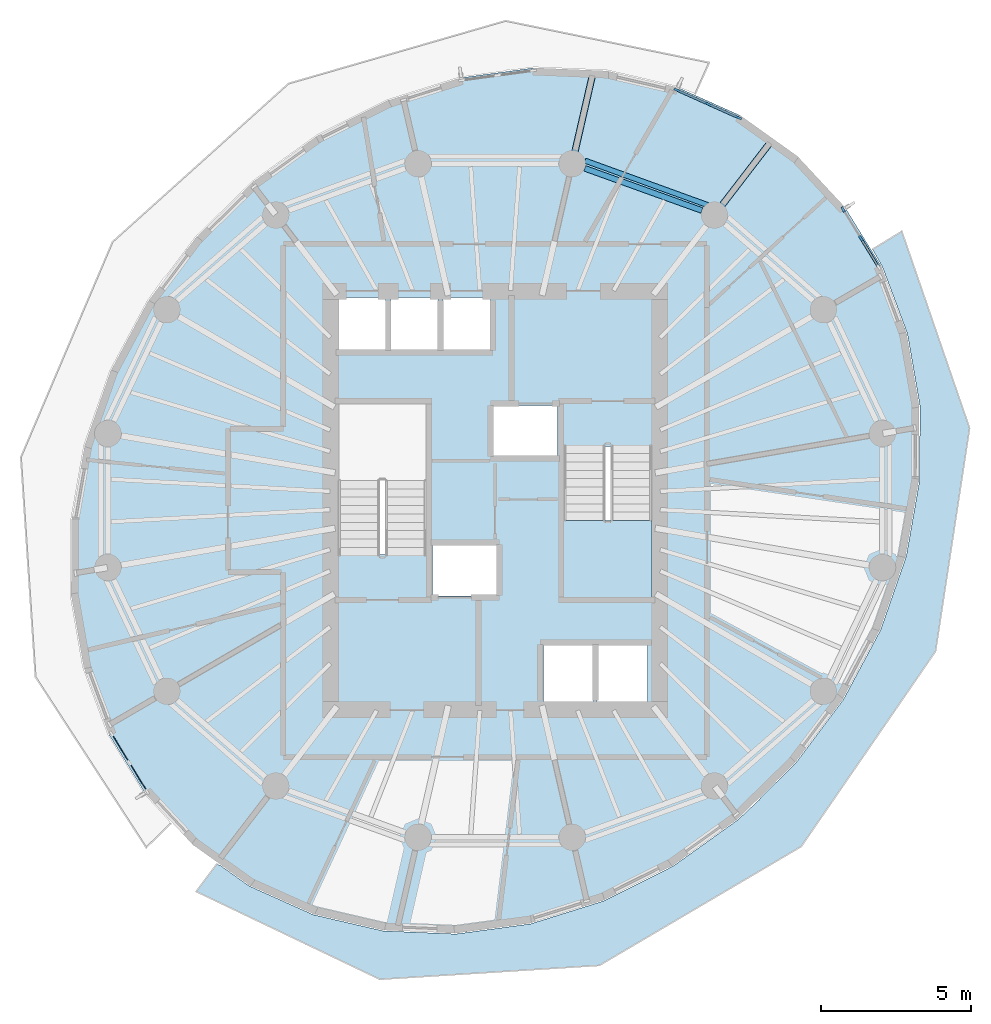
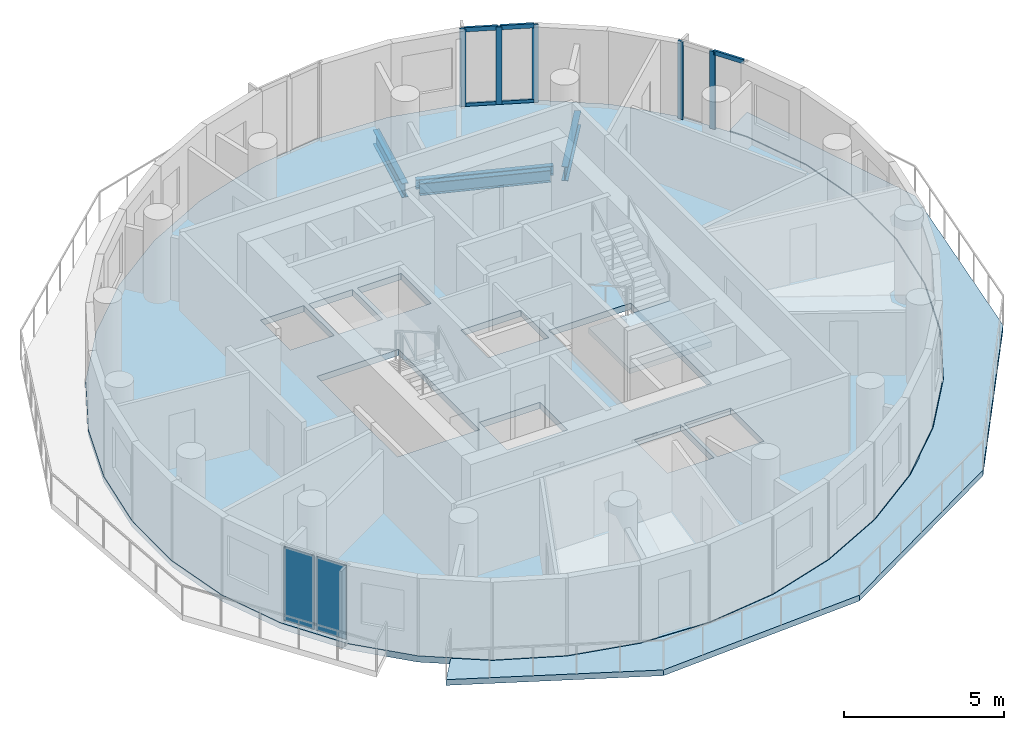
# One storey, part 3 of 10: 10 members, 4 beams, 3 slabs, 2 plates, 4 elements without a shape of their own.
"""IFC4 building model written with IfcOpenShell, lengths in metres."""

import ifcopenshell
import ifcopenshell.guid

model = None  # the IFC model being written
_history = None  # IfcOwnerHistory: only IFC2X3 demands one
_inside = {}  # id of a spatial element -> (the spatial element, [elements in it])
_under = {}  # id of a project, library or spatial element -> (it, [spatial elements below it])
_declared = {}  # id of a project -> (the project, [libraries it declares])
_typed = {}  # id of a type object -> (the type object, [elements of that type])
_made_of = {}  # id of a material, layer set ... -> (it, [elements and type objects made of it])


def new_model(schema):
    """Start an empty IFC model of exactly this schema.

    Asked for "IFC4X3", IfcOpenShell would pick the latest addendum, in which some entities
    have other attributes; the version numbers below select the first issue.
    IFC2X3 requires an IfcOwnerHistory on every rooted entity: one is made here for all.
    """
    global model, _history
    if schema == "IFC4X3":
        model = ifcopenshell.file(schema_version=(4, 3, 0, 0))
    else:
        model = ifcopenshell.file(schema=schema)
    _inside.clear()
    _under.clear()
    _declared.clear()
    _typed.clear()
    _made_of.clear()
    _history = None
    if model.schema == "IFC2X3":
        org = make("IfcOrganization", Name="unknown")
        user = make(
            "IfcPersonAndOrganization",
            ThePerson=make("IfcPerson", FamilyName="unknown"),
            TheOrganization=org,
        )
        app = make(
            "IfcApplication",
            ApplicationDeveloper=org,
            Version="unknown",
            ApplicationFullName="unknown",
            ApplicationIdentifier="unknown",
        )
        _history = make(
            "IfcOwnerHistory",
            OwningUser=user,
            OwningApplication=app,
            ChangeAction="ADDED",
            CreationDate=0,
        )
    return model


def make(cls, **values):
    """One entity of the class cls with the attributes given. An attribute that is None is left unset."""
    return model.create_entity(
        cls, **{name: value for name, value in values.items() if value is not None}
    )


def rooted(cls, **values):
    """An entity with a GlobalId (a new one), such as an element, a storey or a relation."""
    return make(cls, GlobalId=ifcopenshell.guid.new(), OwnerHistory=_history, **values)


def si_unit(unit_type, name, prefix=None):
    """IfcSIUnit, for example si_unit("LENGTHUNIT", "METRE", prefix="MILLI")."""
    return make("IfcSIUnit", UnitType=unit_type, Prefix=prefix, Name=name)


def assignment(units):
    """IfcUnitAssignment: the units of a project."""
    return None if units is None else make("IfcUnitAssignment", Units=units)


def point(xyz):
    """IfcCartesianPoint."""
    return None if xyz is None else make("IfcCartesianPoint", Coordinates=xyz)


def direction(xyz):
    """IfcDirection."""
    return None if xyz is None else make("IfcDirection", DirectionRatios=xyz)


def frame(location, z_axis=None, x_axis=None):
    """IfcAxis2Placement3D, a coordinate frame: its origin and axes. An axis left out is left unset."""
    return make(
        "IfcAxis2Placement3D",
        Location=point(location),
        Axis=direction(z_axis),
        RefDirection=direction(x_axis),
    )


def frame_2d(location, x_axis=None):
    """IfcAxis2Placement2D, a coordinate frame in the plane: its origin and x axis."""
    return make(
        "IfcAxis2Placement2D", Location=point(location), RefDirection=direction(x_axis)
    )


def origin():
    """The frame at (0, 0, 0) with its axes left unset."""
    return frame((0.0, 0.0, 0.0))


def origin_2d():
    """The frame at (0, 0) in the plane with its x axis left unset."""
    return frame_2d((0.0, 0.0))


def place(relative_to, where):
    """IfcLocalPlacement: puts the frame where relative to a parent placement (None: the world)."""
    return make(
        "IfcLocalPlacement", PlacementRelTo=relative_to, RelativePlacement=where
    )


def context(
    kind, dimensions, precision=None, world=None, true_north=None, identifier=None
):
    """IfcGeometricRepresentationContext, for example the 3D "Model" context."""
    return make(
        "IfcGeometricRepresentationContext",
        ContextIdentifier=identifier,
        ContextType=kind,
        CoordinateSpaceDimension=dimensions,
        Precision=precision,
        WorldCoordinateSystem=world,
        TrueNorth=true_north,
    )


def subcontext(parent, identifier, kind, view, scale=None):
    """IfcGeometricRepresentationSubContext, for example "Body" below "Model"."""
    return make(
        "IfcGeometricRepresentationSubContext",
        ContextIdentifier=identifier,
        ContextType=kind,
        ParentContext=parent,
        TargetScale=scale,
        TargetView=view,
    )


def project(units=None, contexts=None):
    """IfcProject with its units and contexts."""
    return rooted(
        "IfcProject",
        Name="project",
        RepresentationContexts=contexts,
        UnitsInContext=assignment(units),
    )


def spatial(cls, under=None, at=None, **own):
    """A site, building, storey or space (cls), placed at a placement, below another one or the project."""
    s = rooted(cls, ObjectPlacement=at, **own)
    if under is not None:
        _under.setdefault(under.id(), (under, []))[1].append(s)
    return s


def polyline(points):
    """IfcPolyline through the points."""
    return make("IfcPolyline", Points=[point(p) for p in points])


def profile(cls, at=None, kind="AREA", **sizes):
    """A parametric profile (cls). Its sizes go by their IFC names, for example OverallWidth=200.0."""
    return make(cls, ProfileType=kind, Position=at, **sizes)


def rectangle(**sizes):
    """IfcRectangleProfileDef."""
    return profile("IfcRectangleProfileDef", **sizes)


def i_section(**sizes):
    """IfcIShapeProfileDef."""
    return profile("IfcIShapeProfileDef", **sizes)


def outline(outer, holes=None, kind="AREA"):
    """IfcArbitraryClosedProfileDef: a profile drawn as a closed curve; with holes, ...WithVoids."""
    if holes is None:
        return make("IfcArbitraryClosedProfileDef", ProfileType=kind, OuterCurve=outer)
    return make(
        "IfcArbitraryProfileDefWithVoids",
        ProfileType=kind,
        OuterCurve=outer,
        InnerCurves=holes,
    )


def extrude(swept, where, along, depth):
    """IfcExtrudedAreaSolid: the profile swept, set in the frame where, extruded along a direction by depth."""
    return make(
        "IfcExtrudedAreaSolid",
        SweptArea=swept,
        Position=where,
        ExtrudedDirection=direction(along),
        Depth=depth,
    )


def shape(context_of_items, identifier, shape_type, items):
    """IfcShapeRepresentation: the items that make up one representation, for example the "Body"."""
    return make(
        "IfcShapeRepresentation",
        ContextOfItems=context_of_items,
        RepresentationIdentifier=identifier,
        RepresentationType=shape_type,
        Items=items,
    )


def material(Name=None, Category=None):
    """IfcMaterial."""
    return make("IfcMaterial", Name=Name, Category=Category)


def layer(
    of_material, thickness, ventilated=None, Name=None, Category=None, Priority=None
):
    """IfcMaterialLayer: one layer of a wall or slab, of a material (None: an air gap)."""
    return make(
        "IfcMaterialLayer",
        Material=of_material,
        LayerThickness=thickness,
        IsVentilated=ventilated,
        Name=Name,
        Category=Category,
        Priority=Priority,
    )


def layer_set(layers, Name=None):
    """IfcMaterialLayerSet."""
    return make("IfcMaterialLayerSet", MaterialLayers=layers, LayerSetName=Name)


def material_profile(
    of_material, cross_section, Name=None, Category=None, Priority=None
):
    """IfcMaterialProfile: a cross section and its material."""
    return make(
        "IfcMaterialProfile",
        Name=Name,
        Material=of_material,
        Profile=cross_section,
        Priority=Priority,
        Category=Category,
    )


def profile_set(profiles, Name=None, composite=None):
    """IfcMaterialProfileSet."""
    return make(
        "IfcMaterialProfileSet",
        Name=Name,
        MaterialProfiles=profiles,
        CompositeProfile=composite,
    )


def made_of(thing, what):
    """Note that an element or type object is made of a material, layer set ...; save() writes the relation."""
    if what is not None:
        _made_of.setdefault(what.id(), (what, []))[1].append(thing)
    return thing


def type_object(cls, material=None, **own):
    """A type object (cls), such as IfcWallType, which elements share."""
    return made_of(rooted(cls, **own), material)


def element(
    cls,
    number,
    at=None,
    inside=None,
    cuts=None,
    type_object=None,
    material=None,
    context=None,
    identifier="Body",
    shape_type=None,
    held_by="IfcProductDefinitionShape",
    body=None,
    shapes=None,
    **own,
):
    """One element of the class cls, such as IfcWall. Its Tag is "e" and its number.

    at: its placement. inside: the storey or other place that contains it. cuts: it is an
    opening in that element (IfcRelVoidsElement). A single representation is given by context,
    identifier, shape_type and body (its items); several are given by shapes. held_by: the class
    of the entity that holds the representations. save() writes the other relations.
    """
    e = rooted(cls, Tag="e%d" % number, ObjectPlacement=at, **own)
    if body is not None:
        shapes = [shape(context, identifier, shape_type, body)]
    if shapes is not None:
        e.Representation = make(held_by, Representations=shapes)
    if inside is not None:
        _inside.setdefault(inside.id(), (inside, []))[1].append(e)
    if cuts is not None:
        rooted(
            "IfcRelVoidsElement", RelatingBuildingElement=cuts, RelatedOpeningElement=e
        )
    if type_object is not None:
        _typed.setdefault(type_object.id(), (type_object, []))[1].append(e)
    return made_of(e, material)


def aggregate(whole, parts):
    """IfcRelAggregates: a whole, such as a stair, and the parts it consists of."""
    return rooted("IfcRelAggregates", RelatingObject=whole, RelatedObjects=parts)


def save(model, path):
    """Write the relations noted so far, then the file.

    IfcRelAggregates (storeys below a building ...), IfcRelContainedInSpatialStructure (elements
    in a storey), IfcRelDefinesByType, IfcRelAssociatesMaterial and IfcRelDeclares: one each for
    every whole, place, type object, material and project.
    """
    for whole, parts in _under.values():
        aggregate(whole, parts)
    for where, things in _inside.values():
        rooted(
            "IfcRelContainedInSpatialStructure",
            RelatedElements=things,
            RelatingStructure=where,
        )
    for kind, things in _typed.values():
        rooted("IfcRelDefinesByType", RelatedObjects=things, RelatingType=kind)
    for what, things in _made_of.values():
        rooted("IfcRelAssociatesMaterial", RelatedObjects=things, RelatingMaterial=what)
    for by, libraries in _declared.values():
        rooted("IfcRelDeclares", RelatingContext=by, RelatedDefinitions=libraries)
    model.write(path)


model = new_model("IFC4")

# Units and contexts
model_context = context("Model", 3, precision=1e-05, world=origin(), true_north=direction((0.0, 1.0)))
body_context = subcontext(model_context, "Body", "Model", "MODEL_VIEW")
ifc_project = project(units=[si_unit("LENGTHUNIT", "METRE"), si_unit("AREAUNIT", "SQUARE_METRE"), si_unit("VOLUMEUNIT", "CUBIC_METRE"), si_unit("PLANEANGLEUNIT", "RADIAN"), si_unit("MASSUNIT", "GRAM", prefix="KILO")], contexts=[model_context])

# Site, building, storey
site_placement = place(None, origin())
site = spatial("IfcSite", under=ifc_project, at=site_placement, CompositionType="ELEMENT")
building_placement = place(site_placement, origin())
building = spatial("IfcBuilding", under=site, at=building_placement, Name="Veldorim Arch Residences", CompositionType="ELEMENT")
storey_placement = place(building_placement, frame((0.0, 0.0, 198.239990234375)))
storey = spatial("IfcBuildingStorey", under=building, at=storey_placement, Name="L59", CompositionType="ELEMENT", Elevation=198.239990234375)

# Beams
ifc_material_1 = material(Name="Steel S355", Category="steel")
ifc_material_profile_1 = material_profile(ifc_material_1, i_section(OverallWidth=0.2119140625, OverallDepth=0.54443359375, WebThickness=0.0126953125, FlangeThickness=0.021240234375, at=origin_2d()), Name="UB533x210x122")
ifc_profile_set_1 = profile_set([ifc_material_profile_1], Name="Steel S355")
beam_type_1 = type_object("IfcBeamType", Name="Structural Steel Beam UB533x210x122", PredefinedType="BEAM", material=ifc_profile_set_1)
beam_1_placement = place(storey_placement, frame((39.345703125, 33.561279296875, -0.51220703125), z_axis=(0.609260847512, 0.792969873128, 0.0), x_axis=(-0.792969873128, 0.609260847512, 0.0)))
element("IfcBeam", 1, at=beam_1_placement, inside=storey, type_object=beam_type_1, Name="L59 radial edge cantilever girder 03", PredefinedType="BEAM", context=body_context, shape_type="SweptSolid", body=[
    extrude(i_section(OverallWidth=0.2119140625, OverallDepth=0.54443359375, WebThickness=0.0126953125, FlangeThickness=0.021240234375, at=origin_2d()), origin(), (0.0, 0.0, 1.0), 3.09521484375),
])
beam_2_placement = place(storey_placement, frame((34.57958984375, 35.27880859375, -0.51220703125), z_axis=(0.222992392333, 0.974820184937, 0.0), x_axis=(-0.974820184937, 0.222992392333, 0.0)))
element("IfcBeam", 2, at=beam_2_placement, inside=storey, type_object=beam_type_1, Name="L59 radial edge cantilever girder 04", PredefinedType="BEAM", context=body_context, shape_type="SweptSolid", body=[
    extrude(i_section(OverallWidth=0.2119140625, OverallDepth=0.54443359375, WebThickness=0.0126953125, FlangeThickness=0.021240234375, at=origin_2d()), origin(), (0.0, 0.0, 1.0), 3.085205078125),
])
ifc_material_2 = material(Name="Steel S355", Category="steel")
ifc_material_profile_2 = material_profile(ifc_material_2, i_section(OverallWidth=0.172119140625, OverallDepth=0.35791015625, WebThickness=0.008056640625, FlangeThickness=0.012939453125, at=origin_2d()), Name="UB356x171x57")
ifc_profile_set_2 = profile_set([ifc_material_profile_2], Name="Steel S355")
beam_type_2 = type_object("IfcBeamType", Name="Structural Steel Spandrel UB356x171x57", PredefinedType="SPANDREL", material=ifc_profile_set_2)
beam_3_placement = place(storey_placement, frame((39.112060546875, 33.87646484375, -0.43896484375), z_axis=(-0.940164695555, 0.340720332871, 0.0), x_axis=(-0.340720332871, -0.940164695555, 0.0)))
element("IfcBeam", 3, at=beam_3_placement, inside=storey, type_object=beam_type_2, Name="L59 perimeter chord spandrel beam 03", PredefinedType="SPANDREL", context=body_context, shape_type="SweptSolid", body=[
    extrude(i_section(OverallWidth=0.172119140625, OverallDepth=0.35791015625, WebThickness=0.008056640625, FlangeThickness=0.012939453125, at=origin_2d()), origin(), (0.0, 0.0, 1.0), 4.370849609375),
])
ifc_material_3 = material(Name="Steel S355", Category="steel")
ifc_material_profile_3 = material_profile(ifc_material_3, i_section(OverallWidth=0.19140625, OverallDepth=0.4599609375, WebThickness=0.010009765625, FlangeThickness=0.01611328125, at=origin_2d()), Name="UB457x191x82")
ifc_profile_set_3 = profile_set([ifc_material_profile_3], Name="Steel S355")
beam_type_3 = type_object("IfcBeamType", Name="Structural Steel Spandrel UB457x191x82", PredefinedType="SPANDREL", material=ifc_profile_set_3)
beam_4_placement = place(storey_placement, frame((38.91015625, 33.69775390625, -0.469970703125), z_axis=(-0.940811035395, 0.338931550137, 0.0), x_axis=(-0.338931550137, -0.940811035395, 0.0)))
element("IfcBeam", 4, at=beam_4_placement, inside=storey, type_object=beam_type_3, Name="L59 perimeter ring tie beam 03", PredefinedType="SPANDREL", context=body_context, shape_type="SweptSolid", body=[
    extrude(i_section(OverallWidth=0.19140625, OverallDepth=0.4599609375, WebThickness=0.010009765625, FlangeThickness=0.01611328125, at=origin_2d()), origin(), (0.0, 0.0, 1.0), 4.15771484375),
])

# Curtain wall, members
ifc_material_4 = material(Name="Aluminium", Category="aluminium")
curtain_wall_type = type_object("IfcCurtainWallType", Name="Zone 4 High-Altitude Unitised Curtain Wall", PredefinedType="NOTDEFINED", material=ifc_material_4)
curtain_wall_1_placement = place(storey_placement, origin())
curtain_wall_1 = element("IfcCurtainWall", 5, at=curtain_wall_1_placement, inside=storey, type_object=curtain_wall_type, Name="L59 unitised curtain wall bay 02", PredefinedType="NOTDEFINED")
ifc_material_5 = material(Name="Aluminium", Category="aluminium")
ifc_material_profile_4 = material_profile(ifc_material_5, rectangle(XDim=0.074951171875, YDim=0.195068359375, at=origin_2d()), Name="ALU_MUL_75x195")
ifc_profile_set_4 = profile_set([ifc_material_profile_4], Name="Aluminium")
member_type_1 = type_object("IfcMemberType", Name="Zone 4 High-Altitude Unitised Curtain Wall Mullion 75x195", PredefinedType="MULLION", material=ifc_profile_set_4)
member_1_placement = place(storey_placement, frame((38.071533203125, 37.726806640625, 0.0), z_axis=(0.0, 0.0, 1.0), x_axis=(0.409148886329, 0.912467637133, 0.0)))
member_1 = element("IfcMember", 6, at=member_1_placement, type_object=member_type_1, Name="CW-Z4 mullion 1", PredefinedType="MULLION", context=body_context, shape_type="SweptSolid", body=[
    extrude(rectangle(XDim=0.074951171875, YDim=0.195068359375, at=origin_2d()), origin(), (0.0, 0.0, 1.0), 2.9599609375),
])
member_2_placement = place(storey_placement, frame((39.10791015625, 37.261962890625, 0.0), z_axis=(0.0, 0.0, 1.0), x_axis=(0.409148886329, 0.912467637133, 0.0)))
member_2 = element("IfcMember", 7, at=member_2_placement, type_object=member_type_1, Name="CW-Z4 mullion 2", PredefinedType="MULLION", context=body_context, shape_type="SweptSolid", body=[
    extrude(rectangle(XDim=0.074951171875, YDim=0.195068359375, at=origin_2d()), origin(), (0.0, 0.0, 1.0), 2.9599609375),
])
member_3_placement = place(storey_placement, frame((40.14453125, 36.79736328125, 0.0), z_axis=(0.0, 0.0, 1.0), x_axis=(0.409148886329, 0.912467637133, 0.0)))
member_3 = element("IfcMember", 8, at=member_3_placement, type_object=member_type_1, Name="CW-Z4 mullion 3", PredefinedType="MULLION", context=body_context, shape_type="SweptSolid", body=[
    extrude(rectangle(XDim=0.074951171875, YDim=0.195068359375, at=origin_2d()), origin(), (0.0, 0.0, 1.0), 2.9599609375),
])

curtain_wall_2_placement = place(storey_placement, origin())
curtain_wall_2 = element("IfcCurtainWall", 9, at=curtain_wall_2_placement, inside=storey, type_object=curtain_wall_type, Name="L59 unitised curtain wall bay 35", PredefinedType="NOTDEFINED")
member_4_placement = place(storey_placement, frame((43.634765625, 33.73291015625, 0.0), z_axis=(0.0, 0.0, 1.0), x_axis=(0.851801663929, 0.523864415023, 0.0)))
member_4 = element("IfcMember", 10, at=member_4_placement, type_object=member_type_1, Name="CW-Z4 mullion 1", PredefinedType="MULLION", context=body_context, shape_type="SweptSolid", body=[
    extrude(rectangle(XDim=0.074951171875, YDim=0.195068359375, at=origin_2d()), origin(), (0.0, 0.0, 1.0), 2.9599609375),
])
member_5_placement = place(storey_placement, frame((44.22998046875, 32.765380859375, 0.0), z_axis=(0.0, 0.0, 1.0), x_axis=(0.851801663929, 0.523864415023, 0.0)))
member_5 = element("IfcMember", 11, at=member_5_placement, type_object=member_type_1, Name="CW-Z4 mullion 2", PredefinedType="MULLION", context=body_context, shape_type="SweptSolid", body=[
    extrude(rectangle(XDim=0.074951171875, YDim=0.195068359375, at=origin_2d()), origin(), (0.0, 0.0, 1.0), 2.9599609375),
])

# Member
ifc_material_6 = material(Name="Aluminium", Category="aluminium")
ifc_material_profile_5 = material_profile(ifc_material_6, rectangle(XDim=0.074951171875, YDim=0.1650390625, at=origin_2d()), Name="ALU_TRN_75x165")
ifc_profile_set_5 = profile_set([ifc_material_profile_5], Name="Aluminium")
member_type_2 = type_object("IfcMemberType", Name="Zone 4 High-Altitude Unitised Curtain Wall Transom 75x165", PredefinedType="USERDEFINED", material=ifc_profile_set_5)
member_6_placement = place(storey_placement, frame((38.105712890625, 37.71142578125, 0.03759765625), z_axis=(0.912458962781, -0.409168230977, 0.0), x_axis=(0.409168230977, 0.912458962781, 0.0)))
member_6 = element("IfcMember", 12, at=member_6_placement, type_object=member_type_2, Name="CW-Z4 transom 1.1", ObjectType="TRANSOM", PredefinedType="USERDEFINED", context=body_context, shape_type="SweptSolid", body=[
    extrude(rectangle(XDim=0.074951171875, YDim=0.1650390625, at=origin_2d()), origin(), (0.0, 0.0, 1.0), 1.060791015625),
])

member_7_placement = place(storey_placement, frame((38.105712890625, 37.71142578125, 2.922607421875), z_axis=(0.912458962781, -0.409168230977, 0.0), x_axis=(0.409168230977, 0.912458962781, 0.0)))
member_7 = element("IfcMember", 13, at=member_7_placement, type_object=member_type_2, Name="CW-Z4 transom 1.2", ObjectType="TRANSOM", PredefinedType="USERDEFINED", context=body_context, shape_type="SweptSolid", body=[
    extrude(rectangle(XDim=0.074951171875, YDim=0.1650390625, at=origin_2d()), origin(), (0.0, 0.0, 1.0), 1.060791015625),
])

member_8_placement = place(storey_placement, frame((39.142333984375, 37.24658203125, 0.03759765625), z_axis=(0.912458962781, -0.409168230977, 0.0), x_axis=(0.409168230977, 0.912458962781, 0.0)))
member_8 = element("IfcMember", 14, at=member_8_placement, type_object=member_type_2, Name="CW-Z4 transom 2.1", ObjectType="TRANSOM", PredefinedType="USERDEFINED", context=body_context, shape_type="SweptSolid", body=[
    extrude(rectangle(XDim=0.074951171875, YDim=0.1650390625, at=origin_2d()), origin(), (0.0, 0.0, 1.0), 1.060791015625),
])

member_9_placement = place(storey_placement, frame((39.142333984375, 37.24658203125, 2.922607421875), z_axis=(0.912458962781, -0.409168230977, 0.0), x_axis=(0.409168230977, 0.912458962781, 0.0)))
member_9 = element("IfcMember", 15, at=member_9_placement, type_object=member_type_2, Name="CW-Z4 transom 2.2", ObjectType="TRANSOM", PredefinedType="USERDEFINED", context=body_context, shape_type="SweptSolid", body=[
    extrude(rectangle(XDim=0.074951171875, YDim=0.1650390625, at=origin_2d()), origin(), (0.0, 0.0, 1.0), 1.060791015625),
])

aggregate(curtain_wall_1, [member_1, member_2, member_3, member_6, member_7, member_8, member_9])

member_10_placement = place(storey_placement, frame((44.24951171875, 32.7333984375, 2.922607421875), z_axis=(0.524007543384, -0.851713622338, 0.0), x_axis=(0.851713622338, 0.524007543384, 0.0)))
member_10 = element("IfcMember", 16, at=member_10_placement, type_object=member_type_2, Name="CW-Z4 transom 2.2", ObjectType="TRANSOM", PredefinedType="USERDEFINED", context=body_context, shape_type="SweptSolid", body=[
    extrude(rectangle(XDim=0.074951171875, YDim=0.1650390625, at=origin_2d()), origin(), (0.0, 0.0, 1.0), 1.060791015625),
])

aggregate(curtain_wall_2, [member_4, member_5, member_10])

# Slab
ifc_material_7 = material(Name="Concrete C40/50", Category="concrete")
ifc_layer_1 = layer(ifc_material_7, 0.219970703125, Name="Planted Crescent Cantilever Balcony Slab 220")
ifc_layer_set_1 = layer_set([ifc_layer_1], Name="Concrete C40/50")
slab_type_1 = type_object("IfcSlabType", Name="Planted Crescent Cantilever Balcony Slab 220", PredefinedType="FLOOR", material=ifc_layer_set_1)
slab_1_placement = place(storey_placement, frame((0.0, 0.0, -0.219970703125)))
element("IfcSlab", 17, at=slab_1_placement, inside=storey, type_object=slab_type_1, Name="L59 planted crescent balcony slab B", PredefinedType="FLOOR", context=body_context, shape_type="SweptSolid", body=[
    extrude(outline(polyline([(22.8125, 11.79931640625), (23.77197265625, 11.1142578125), (25.91796875, 10.152099609375), (28.24853515625, 9.61083984375), (30.69287109375, 9.5068359375), (33.1767578125, 9.843505859375), (35.62451171875, 10.60986328125), (37.96240234375, 11.783203125), (40.118896484375, 13.327392578125), (40.820556640625, 13.9833984375), (40.89111328125, 14.0830078125), (42.02880859375, 15.19580078125), (43.634033203125, 17.33154296875), (44.885986328125, 19.669921875), (45.74658203125, 22.139892578125), (46.189697265625, 24.66650390625), (46.197021484375, 26.152587890625), (46.222412109375, 26.2763671875), (46.197998046875, 26.369384765625), (46.201904296875, 27.1728515625), (45.7822265625, 29.583251953125), (44.94384765625, 31.823974609375), (44.61572265625, 32.398681640625), (45.59619140625, 32.999755859375), (47.863525390625, 26.423095703125), (46.723388671875, 18.954345703125), (42.234375, 12.4306640625), (35.486328125, 8.456298828125), (28.14404296875, 7.9912109375), (22.00048828125, 10.927001953125), (22.690673828125, 11.8466796875), (22.8125, 11.79931640625)])), origin(), (0.0, 0.0, 1.0), 0.219970703125),
])

# Stair, slab
ifc_material_8 = material(Name="Concrete C40/50", Category="concrete")
stair_type = type_object("IfcStairType", Name="Reinforced Concrete Dogleg Exit Staircase", PredefinedType="HALF_TURN_STAIR", material=ifc_material_8)
stair_placement = place(storey_placement, origin())
stair = element("IfcStair", 18, at=stair_placement, inside=storey, type_object=stair_type, Name="L59 Exit Staircase ST-2", PredefinedType="HALF_TURN_STAIR")
ifc_material_9 = material(Name="Concrete C40/50", Category="concrete")
ifc_layer_2 = layer(ifc_material_9, 0.199951171875, Name="Reinforced Concrete Stair Landing 200")
ifc_layer_set_2 = layer_set([ifc_layer_2], Name="Concrete C40/50")
slab_type_2 = type_object("IfcSlabType", Name="Reinforced Concrete Stair Landing 200", PredefinedType="LANDING", material=ifc_layer_set_2)
slab_2_placement = place(storey_placement, frame((0.0, 0.0, 1.39990234375)))
slab_2 = element("IfcSlab", 19, at=slab_2_placement, type_object=slab_type_2, Name="ST-2 landing 1", PredefinedType="LANDING", context=body_context, shape_type="SweptSolid", body=[
    extrude(outline(polyline([(34.2900390625, 23.330078125), (34.2900390625, 20.75), (37.25, 20.75), (37.25, 23.330078125), (34.2900390625, 23.330078125)])), origin(), (0.0, 0.0, 1.0), 0.2001953125),
])
aggregate(stair, [slab_2])

# Slab
ifc_material_10 = material(Name="Concrete C40/50", Category="concrete")
ifc_layer_3 = layer(ifc_material_10, 0.239990234375, Name="Typical Residential Floor Slab 240")
ifc_layer_set_3 = layer_set([ifc_layer_3], Name="Concrete C40/50")
slab_type_3 = type_object("IfcSlabType", Name="Typical Residential Floor Slab 240", PredefinedType="FLOOR", material=ifc_layer_set_3)
slab_3_placement = place(storey_placement, frame((0.0, 0.0, -0.239990234375)))
element("IfcSlab", 20, at=slab_3_placement, inside=storey, type_object=slab_type_3, Name="L59 tower structural floor slab", PredefinedType="FLOOR", context=body_context, shape_type="SweptSolid", body=[
    extrude(outline(polyline([(42.107177734375, 35.512939453125), (40.215576171875, 36.864013671875), (38.07421875, 37.82421875), (35.748046875, 38.3642578125), (33.308349609375, 38.468017578125), (30.828857421875, 38.132080078125), (28.384765625, 37.36669921875), (26.050537109375, 36.1953125), (23.897216796875, 34.6533203125), (21.989990234375, 32.78759765625), (20.38720703125, 30.655029296875), (19.136962890625, 28.320068359375), (18.277587890625, 25.85400390625), (17.835205078125, 23.331298828125), (17.8232421875, 20.829345703125), (18.241943359375, 18.42333984375), (19.07861328125, 16.18701171875), (20.30810546875, 14.18798828125), (21.892822265625, 12.487060546875), (23.784423828125, 11.135986328125), (25.92578125, 10.17578125), (28.251953125, 9.6357421875), (30.691650390625, 9.531982421875), (33.171142578125, 9.867919921875), (35.615234375, 10.63330078125), (37.949462890625, 11.8046875), (40.102783203125, 13.3466796875), (42.010009765625, 15.21240234375), (43.61279296875, 17.344970703125), (44.863037109375, 19.679931640625), (45.722412109375, 22.14599609375), (46.164794921875, 24.668701171875), (46.1767578125, 27.170654296875), (45.758056640625, 29.57666015625), (44.92138671875, 31.81298828125), (43.69189453125, 33.81201171875), (42.107177734375, 35.512939453125)]), holes=[polyline([(33.610107421875, 17.2099609375), (33.610107421875, 19.2900390625), (35.2900390625, 19.2900390625), (35.2900390625, 17.2099609375), (33.610107421875, 17.2099609375)]), polyline([(35.409912109375, 17.2099609375), (35.409912109375, 19.2900390625), (37.090087890625, 19.2900390625), (37.090087890625, 17.2099609375), (35.409912109375, 17.2099609375)]), polyline([(29.909912109375, 20.81494140625), (29.909912109375, 22.544921875), (32.090087890625, 22.544921875), (32.090087890625, 20.81494140625), (29.909912109375, 20.81494140625)]), polyline([(34.2900390625, 20.75), (34.2900390625, 25.804931640625), (37.25, 25.804931640625), (37.25, 20.75), (34.2900390625, 20.75)]), polyline([(26.75, 22.195068359375), (26.75, 27.25), (29.7099609375, 27.25), (29.7099609375, 22.195068359375), (26.75, 22.195068359375)]), polyline([(31.909912109375, 25.455078125), (31.909912109375, 27.18505859375), (34.090087890625, 27.18505859375), (34.090087890625, 25.455078125), (31.909912109375, 25.455078125)]), polyline([(26.760009765625, 28.909912109375), (26.760009765625, 30.7900390625), (28.340087890625, 30.7900390625), (28.340087890625, 28.909912109375), (26.760009765625, 28.909912109375)]), polyline([(28.510009765625, 30.7900390625), (30.090087890625, 30.7900390625), (30.090087890625, 28.909912109375), (28.510009765625, 28.909912109375), (28.510009765625, 30.7900390625)]), polyline([(30.260009765625, 30.7900390625), (31.840087890625, 30.7900390625), (31.840087890625, 28.909912109375), (30.260009765625, 28.909912109375), (30.260009765625, 30.7900390625)])]), origin(), (0.0, 0.0, 1.0), 0.239990234375),
])

# Curtain wall, plates
curtain_wall_3_placement = place(storey_placement, origin())
curtain_wall_3 = element("IfcCurtainWall", 21, at=curtain_wall_3_placement, inside=storey, type_object=curtain_wall_type, Name="L59 unitised curtain wall bay 17", PredefinedType="NOTDEFINED")
ifc_material_11 = material(Name="Laminated Low-E Glass", Category="glass")
ifc_layer_4 = layer(ifc_material_11, 0.030029296875, Name="Zone 4 High-Altitude Unitised Curtain Wall Glazing Panel 30")
ifc_layer_set_4 = layer_set([ifc_layer_4], Name="Laminated Low-E Glass")
plate_type = type_object("IfcPlateType", Name="Zone 4 High-Altitude Unitised Curtain Wall Glazing Panel 30", PredefinedType="CURTAIN_PANEL", material=ifc_layer_set_4)
plate_1_placement = place(storey_placement, frame((20.067626953125, 14.750732421875, 0.074951171875), z_axis=(0.0, 0.0, 1.0), x_axis=(-0.523864415023, 0.851801663929, 0.0)))
plate_1 = element("IfcPlate", 22, at=plate_1_placement, type_object=plate_type, Name="CW-Z4 panel 1.1", PredefinedType="CURTAIN_PANEL", context=body_context, shape_type="SweptSolid", body=[
    extrude(rectangle(XDim=1.060791015625, YDim=0.030029296875, at=origin_2d()), origin(), (0.0, 0.0, 1.0), 2.81005859375),
])
plate_2_placement = place(storey_placement, frame((19.47265625, 15.71826171875, 0.074951171875), z_axis=(0.0, 0.0, 1.0), x_axis=(-0.523864415023, 0.851801663929, 0.0)))
plate_2 = element("IfcPlate", 23, at=plate_2_placement, type_object=plate_type, Name="CW-Z4 panel 2.1", PredefinedType="CURTAIN_PANEL", context=body_context, shape_type="SweptSolid", body=[
    extrude(rectangle(XDim=1.060791015625, YDim=0.030029296875, at=origin_2d()), origin(), (0.0, 0.0, 1.0), 2.81005859375),
])
aggregate(curtain_wall_3, [plate_1, plate_2])

save(model, "model.ifc")
